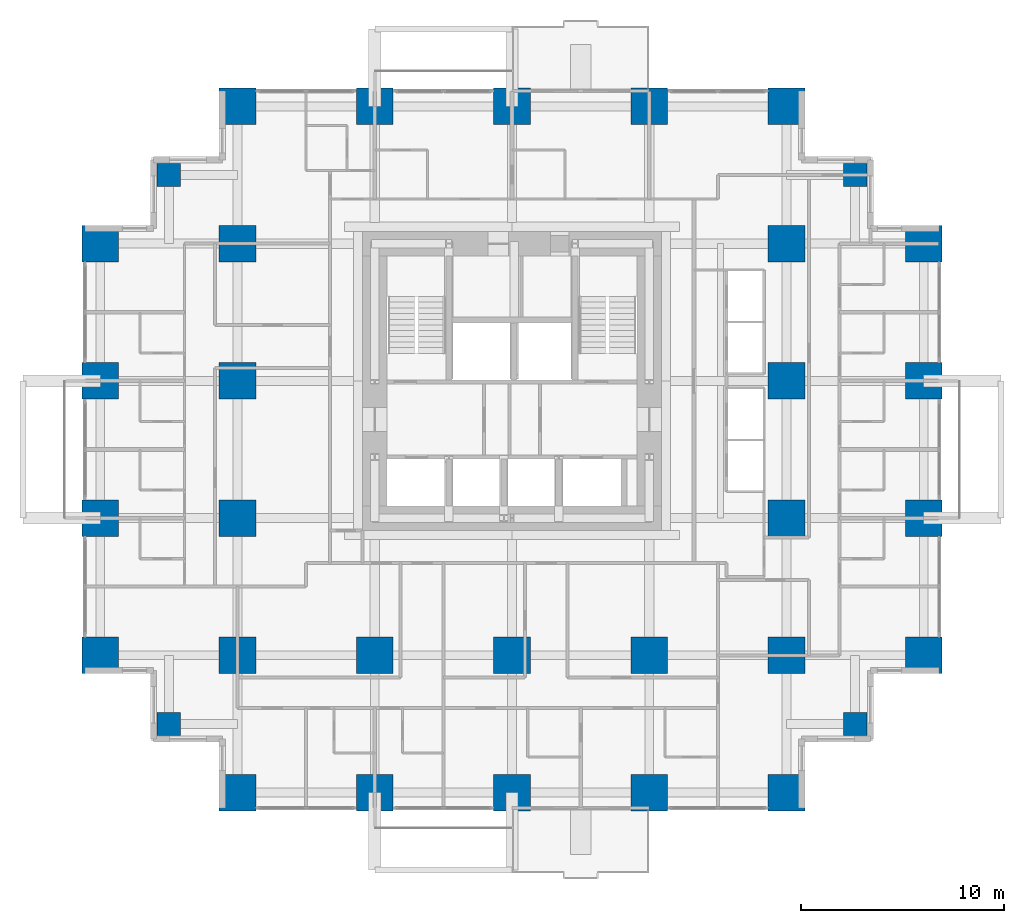
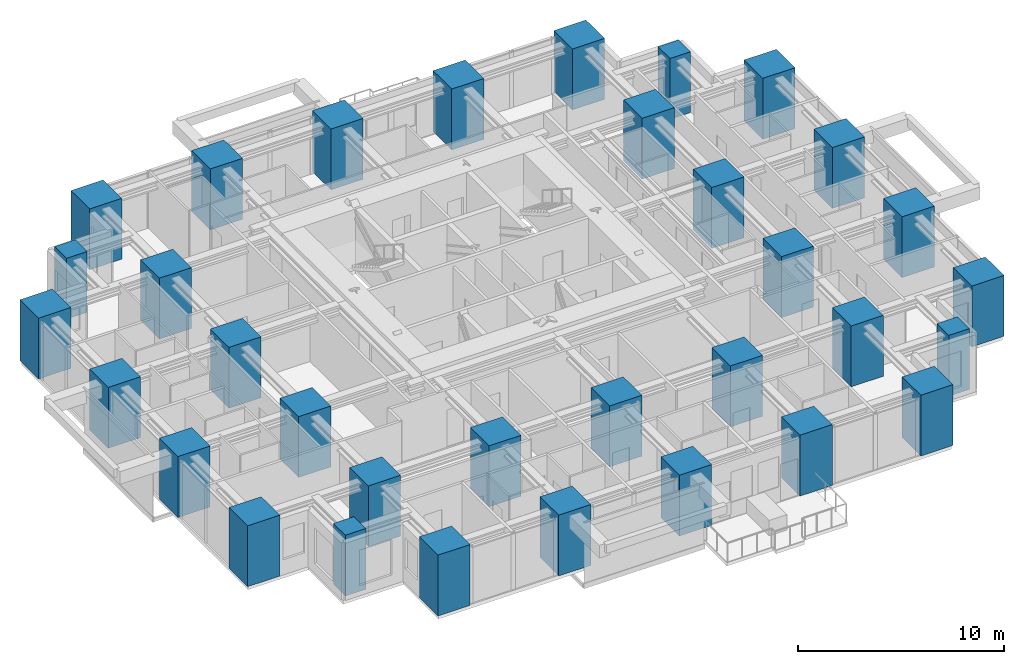
# One storey, part 1 of 12: 33 columns.
"""IFC4 building model written with IfcOpenShell, lengths in metres."""

from ifc_helpers import new_model, si_unit, direction, frame, origin, origin_2d, place, context, subcontext, project, spatial, rectangle, extrude, material, material_profile, profile_set, type_object, element, save


model = new_model("IFC4")

# Units and contexts
model_context = context("Model", 3, precision=1e-05, world=origin(), true_north=direction((0.0, 1.0)))
body_context = subcontext(model_context, "Body", "Model", "MODEL_VIEW")
ifc_project = project(units=[si_unit("LENGTHUNIT", "METRE"), si_unit("AREAUNIT", "SQUARE_METRE"), si_unit("VOLUMEUNIT", "CUBIC_METRE"), si_unit("PLANEANGLEUNIT", "RADIAN"), si_unit("MASSUNIT", "GRAM", prefix="KILO")], contexts=[model_context])

# Site, building, storey
site_placement = place(None, origin())
site = spatial("IfcSite", under=ifc_project, at=site_placement, CompositionType="ELEMENT")
building_placement = place(site_placement, origin())
building = spatial("IfcBuilding", under=site, at=building_placement, Name="Nyansa Garden Tower", CompositionType="ELEMENT")
storey_placement = place(building_placement, frame((0.0, 0.0, 98.10009765625)))
storey = spatial("IfcBuildingStorey", under=building, at=storey_placement, Name="L26", CompositionType="ELEMENT", Elevation=98.10009765625)

# Columns
ifc_material_1 = material(Name="Concrete C70/85", Category="concrete")
ifc_material_profile_1 = material_profile(ifc_material_1, rectangle(XDim=1.14990234375, YDim=1.14990234375, at=origin_2d()), Name="RC 1150x1150")
ifc_profile_set_1 = profile_set([ifc_material_profile_1], Name="Concrete C70/85")
column_type_1 = type_object("IfcColumnType", Name="Column C115 RC 1150x1150", PredefinedType="COLUMN", material=ifc_profile_set_1)
for number, where, z_axis, x_axis, name in (
    (1, (3.375, 3.375, 0.0), (0.0, 0.0, 1.0), (1.0, 0.0, 0.0), "Column x3.375/y3.375 L26"),
    (2, (3.375, 30.375, 0.0), (0.0, 0.0, 1.0), (1.0, 0.0, 0.0), "Column x3.375/y30.375 L26"),
    (3, (37.125, 3.375, 0.0), (0.0, 0.0, 1.0), (1.0, 0.0, 0.0), "Column x37.125/y3.375 L26"),
    (4, (37.125, 30.375, 0.0), (0.0, 0.0, 1.0), (1.0, 0.0, 0.0), "Column x37.125/y30.375 L26"),
):
    element("IfcColumn", number, at=place(storey_placement, frame(where, z_axis=z_axis, x_axis=x_axis)), inside=storey, type_object=column_type_1, Name=name, PredefinedType="COLUMN", context=body_context, shape_type="SweptSolid", body=[
        extrude(rectangle(XDim=1.14990234375, YDim=1.14990234375, at=origin_2d()), origin(), (0.0, 0.0, 1.0), 3.599853515625),
    ])
ifc_material_2 = material(Name="Concrete C80/95", Category="concrete")
ifc_material_profile_2 = material_profile(ifc_material_2, rectangle(XDim=1.800048828125, YDim=1.800048828125, at=origin_2d()), Name="RC 1800x1800")
ifc_profile_set_2 = profile_set([ifc_material_profile_2], Name="Concrete C80/95")
column_type_2 = type_object("IfcColumnType", Name="Column C180 RC 1800x1800", PredefinedType="COLUMN", material=ifc_profile_set_2)
for number, where, z_axis, x_axis, name in (
    (5, (0.0, 6.75, 0.0), (0.0, 0.0, 1.0), (1.0, 0.0, 0.0), "Column 2/E L26"),
    (6, (0.0, 13.5, 0.0), (0.0, 0.0, 1.0), (1.0, 0.0, 0.0), "Column 2/F L26"),
    (7, (0.0, 20.25, 0.0), (0.0, 0.0, 1.0), (1.0, 0.0, 0.0), "Column 2/G L26"),
    (8, (0.0, 27.0, 0.0), (0.0, 0.0, 1.0), (1.0, 0.0, 0.0), "Column 2/H L26"),
    (9, (6.75, 0.0, 0.0), (0.0, 0.0, 1.0), (1.0, 0.0, 0.0), "Column 3/D L26"),
    (10, (6.75, 6.75, 0.0), (0.0, 0.0, 1.0), (1.0, 0.0, 0.0), "Column 3/E L26"),
    (11, (6.75, 13.5, 0.0), (0.0, 0.0, 1.0), (1.0, 0.0, 0.0), "Column 3/F L26"),
    (12, (6.75, 20.25, 0.0), (0.0, 0.0, 1.0), (1.0, 0.0, 0.0), "Column 3/G L26"),
    (13, (6.75, 27.0, 0.0), (0.0, 0.0, 1.0), (1.0, 0.0, 0.0), "Column 3/H L26"),
    (14, (6.75, 33.75, 0.0), (0.0, 0.0, 1.0), (1.0, 0.0, 0.0), "Column 3/J L26"),
    (15, (13.5, 0.0, 0.0), (0.0, 0.0, 1.0), (1.0, 0.0, 0.0), "Column 4/D L26"),
    (16, (13.5, 6.75, 0.0), (0.0, 0.0, 1.0), (1.0, 0.0, 0.0), "Column 4/E L26"),
    (17, (13.5, 33.75, 0.0), (0.0, 0.0, 1.0), (1.0, 0.0, 0.0), "Column 4/J L26"),
    (18, (20.25, 0.0, 0.0), (0.0, 0.0, 1.0), (1.0, 0.0, 0.0), "Column 5/D L26"),
    (19, (20.25, 6.75, 0.0), (0.0, 0.0, 1.0), (1.0, 0.0, 0.0), "Column 5/E L26"),
    (20, (20.25, 33.75, 0.0), (0.0, 0.0, 1.0), (1.0, 0.0, 0.0), "Column 5/J L26"),
    (21, (27.0, 0.0, 0.0), (0.0, 0.0, 1.0), (1.0, 0.0, 0.0), "Column 6/D L26"),
    (22, (27.0, 6.75, 0.0), (0.0, 0.0, 1.0), (1.0, 0.0, 0.0), "Column 6/E L26"),
    (23, (27.0, 33.75, 0.0), (0.0, 0.0, 1.0), (1.0, 0.0, 0.0), "Column 6/J L26"),
    (24, (33.75, 0.0, 0.0), (0.0, 0.0, 1.0), (1.0, 0.0, 0.0), "Column 7/D L26"),
    (25, (33.75, 6.75, 0.0), (0.0, 0.0, 1.0), (1.0, 0.0, 0.0), "Column 7/E L26"),
    (26, (33.75, 13.5, 0.0), (0.0, 0.0, 1.0), (1.0, 0.0, 0.0), "Column 7/F L26"),
    (27, (33.75, 20.25, 0.0), (0.0, 0.0, 1.0), (1.0, 0.0, 0.0), "Column 7/G L26"),
    (28, (33.75, 27.0, 0.0), (0.0, 0.0, 1.0), (1.0, 0.0, 0.0), "Column 7/H L26"),
    (29, (33.75, 33.75, 0.0), (0.0, 0.0, 1.0), (1.0, 0.0, 0.0), "Column 7/J L26"),
    (30, (40.5, 6.75, 0.0), (0.0, 0.0, 1.0), (1.0, 0.0, 0.0), "Column 8/E L26"),
    (31, (40.5, 13.5, 0.0), (0.0, 0.0, 1.0), (1.0, 0.0, 0.0), "Column 8/F L26"),
    (32, (40.5, 20.25, 0.0), (0.0, 0.0, 1.0), (1.0, 0.0, 0.0), "Column 8/G L26"),
    (33, (40.5, 27.0, 0.0), (0.0, 0.0, 1.0), (1.0, 0.0, 0.0), "Column 8/H L26"),
):
    element("IfcColumn", number, at=place(storey_placement, frame(where, z_axis=z_axis, x_axis=x_axis)), inside=storey, type_object=column_type_2, Name=name, PredefinedType="COLUMN", context=body_context, shape_type="SweptSolid", body=[
        extrude(rectangle(XDim=1.800048828125, YDim=1.800048828125, at=origin_2d()), origin(), (0.0, 0.0, 1.0), 3.599853515625),
    ])

save(model, "model.ifc")
